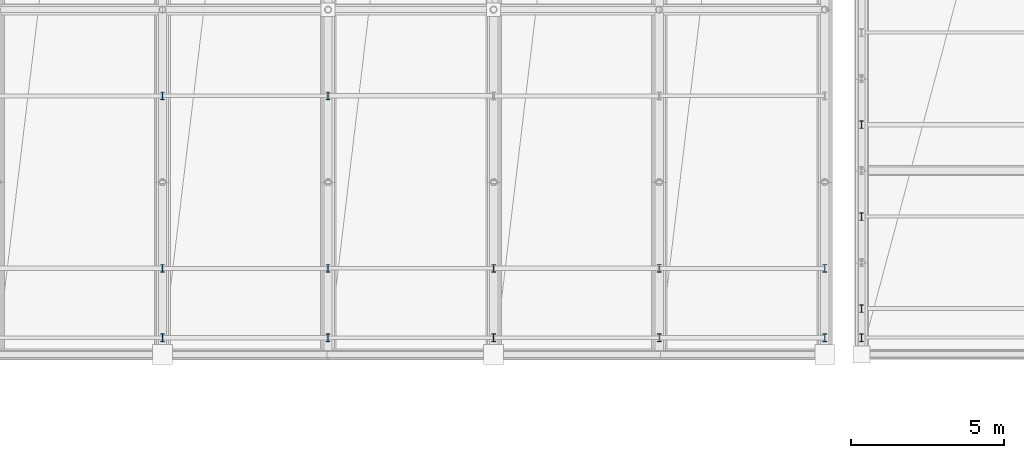
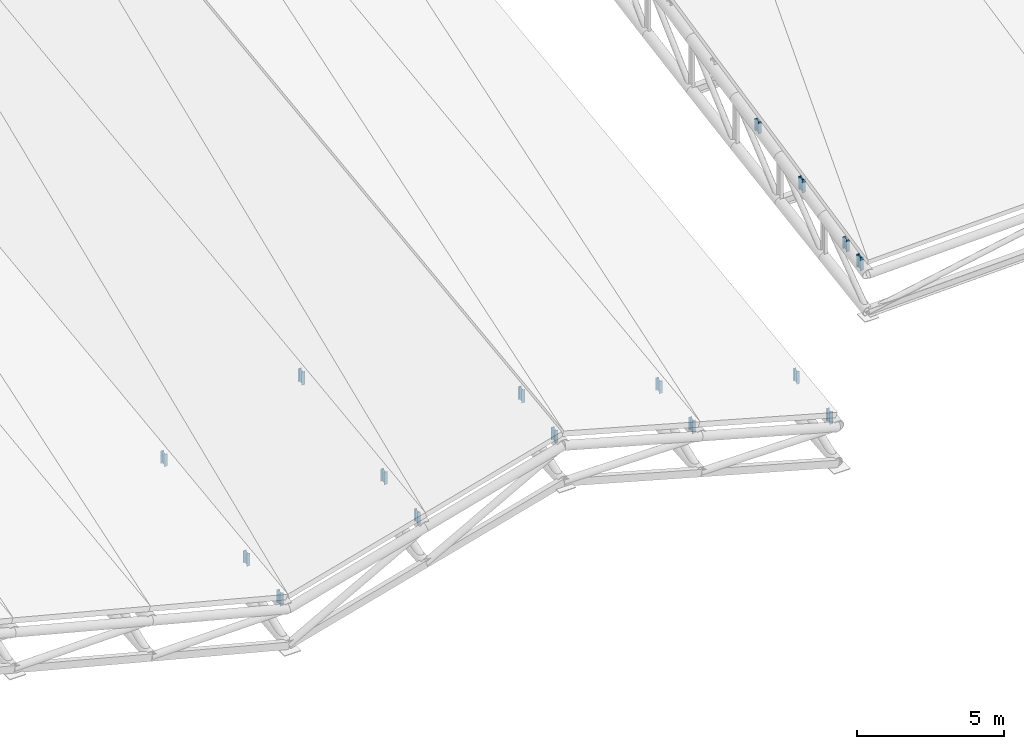
# One storey, part 78 of 109: 16 members.
"""IFC4 building model written with IfcOpenShell, lengths in metres."""

from ifc_helpers import new_model, si_unit, direction, frame, origin, origin_2d, place, context, subcontext, project, spatial, i_section, extrude, material, material_profile, profile_set, type_object, element, save


model = new_model("IFC4")

# Units and contexts
model_context = context("Model", 3, precision=1e-05, world=origin(), true_north=direction((0.0, 1.0)))
body_context = subcontext(model_context, "Body", "Model", "MODEL_VIEW")
ifc_project = project(units=[si_unit("LENGTHUNIT", "METRE"), si_unit("AREAUNIT", "SQUARE_METRE"), si_unit("VOLUMEUNIT", "CUBIC_METRE"), si_unit("PLANEANGLEUNIT", "RADIAN"), si_unit("MASSUNIT", "GRAM", prefix="KILO")], contexts=[model_context])

# Site, building, storey
site_placement = place(None, origin())
site = spatial("IfcSite", under=ifc_project, at=site_placement, CompositionType="ELEMENT")
building_placement = place(site_placement, origin())
building = spatial("IfcBuilding", under=site, at=building_placement, Name="Suirenkawa Promenade Aquatics Centre", CompositionType="ELEMENT")
storey_placement = place(building_placement, frame((0.0, 0.0, 22.800048828125)))
storey = spatial("IfcBuildingStorey", under=building, at=storey_placement, Name="ROOF", CompositionType="ELEMENT", Elevation=22.800048828125)

# Members
ifc_material = material(Name="Steel IS 2062 E350 (Grade 350)", Category="steel")
ifc_material_profile = material_profile(ifc_material, i_section(OverallWidth=0.125, OverallDepth=0.25, WebThickness=0.007080078125, FlangeThickness=0.012939453125, at=origin_2d()), Name="ISMB 250", Category="steel")
ifc_profile_set = profile_set([ifc_material_profile], Name="Steel IS 2062 E350 (Grade 350)")
member_type = type_object("IfcMemberType", Name="MT-WEB-CHS168", PredefinedType="BRACE", material=ifc_profile_set)
member_1_placement = place(storey_placement, frame((133.199951171875, 50.949951171875, -15.149169921875), z_axis=(0.0, 0.0, 1.0), x_axis=(1.0, 0.0, 0.0)))
element("IfcMember", 1, at=member_1_placement, inside=storey, type_object=member_type, Name="ROOF TRUSS Purlin cleat post TD-03 MB-2228", PredefinedType="BRACE", context=body_context, shape_type="SweptSolid", body=[
    extrude(i_section(OverallWidth=0.125, OverallDepth=0.25, WebThickness=0.007080078125, FlangeThickness=0.012939453125, at=origin_2d()), origin(), (0.0, 0.0, 1.0), 0.546142578125),
])
member_2_placement = place(storey_placement, frame((133.199951171875, 53.2119140625, -14.858154296875), z_axis=(0.0, 0.0, 1.0), x_axis=(1.0, 0.0, 0.0)))
element("IfcMember", 2, at=member_2_placement, inside=storey, type_object=member_type, Name="ROOF TRUSS Purlin cleat post TD-03 MB-2230", PredefinedType="BRACE", context=body_context, shape_type="SweptSolid", body=[
    extrude(i_section(OverallWidth=0.125, OverallDepth=0.25, WebThickness=0.007080078125, FlangeThickness=0.012939453125, at=origin_2d()), origin(), (0.0, 0.0, 1.0), 0.52001953125),
])
member_3_placement = place(storey_placement, frame((133.199951171875, 58.8369140625, -14.133056640625), z_axis=(0.0, 0.0, 1.0), x_axis=(1.0, 0.0, 0.0)))
element("IfcMember", 3, at=member_3_placement, inside=storey, type_object=member_type, Name="ROOF TRUSS Purlin cleat post TD-03 MB-2232", PredefinedType="BRACE", context=body_context, shape_type="SweptSolid", body=[
    extrude(i_section(OverallWidth=0.125, OverallDepth=0.25, WebThickness=0.007080078125, FlangeThickness=0.012939453125, at=origin_2d()), origin(), (0.0, 0.0, 1.0), 0.52099609375),
])
member_4_placement = place(storey_placement, frame((138.60009765625, 50.949951171875, -13.649169921875), z_axis=(0.0, 0.0, 1.0), x_axis=(1.0, 0.0, 0.0)))
element("IfcMember", 4, at=member_4_placement, inside=storey, type_object=member_type, Name="ROOF TRUSS Purlin cleat post TD-03 MB-2264", PredefinedType="BRACE", context=body_context, shape_type="SweptSolid", body=[
    extrude(i_section(OverallWidth=0.125, OverallDepth=0.25, WebThickness=0.007080078125, FlangeThickness=0.012939453125, at=origin_2d()), origin(), (0.0, 0.0, 1.0), 0.51904296875),
])
member_5_placement = place(storey_placement, frame((138.60009765625, 53.2119140625, -13.358154296875), z_axis=(0.0, 0.0, 1.0), x_axis=(1.0, 0.0, 0.0)))
element("IfcMember", 5, at=member_5_placement, inside=storey, type_object=member_type, Name="ROOF TRUSS Purlin cleat post TD-03 MB-2266", PredefinedType="BRACE", context=body_context, shape_type="SweptSolid", body=[
    extrude(i_section(OverallWidth=0.125, OverallDepth=0.25, WebThickness=0.007080078125, FlangeThickness=0.012939453125, at=origin_2d()), origin(), (0.0, 0.0, 1.0), 0.52099609375),
])
member_6_placement = place(storey_placement, frame((138.60009765625, 58.8369140625, -12.633056640625), z_axis=(0.0, 0.0, 1.0), x_axis=(1.0, 0.0, 0.0)))
element("IfcMember", 6, at=member_6_placement, inside=storey, type_object=member_type, Name="ROOF TRUSS Purlin cleat post TD-03 MB-2268", PredefinedType="BRACE", context=body_context, shape_type="SweptSolid", body=[
    extrude(i_section(OverallWidth=0.125, OverallDepth=0.25, WebThickness=0.007080078125, FlangeThickness=0.012939453125, at=origin_2d()), origin(), (0.0, 0.0, 1.0), 0.547119140625),
])
member_7_placement = place(storey_placement, frame((144.0, 50.949951171875, -12.149169921875), z_axis=(0.0, 0.0, 1.0), x_axis=(1.0, 0.0, 0.0)))
element("IfcMember", 7, at=member_7_placement, inside=storey, type_object=member_type, Name="ROOF TRUSS Purlin cleat post TD-03 MB-2300", PredefinedType="BRACE", context=body_context, shape_type="SweptSolid", body=[
    extrude(i_section(OverallWidth=0.125, OverallDepth=0.25, WebThickness=0.007080078125, FlangeThickness=0.012939453125, at=origin_2d()), origin(), (0.0, 0.0, 1.0), 0.521240234375),
])
member_8_placement = place(storey_placement, frame((144.0, 53.2119140625, -11.858154296875), z_axis=(0.0, 0.0, 1.0), x_axis=(1.0, 0.0, 0.0)))
element("IfcMember", 8, at=member_8_placement, inside=storey, type_object=member_type, Name="ROOF TRUSS Purlin cleat post TD-03 MB-2302", PredefinedType="BRACE", context=body_context, shape_type="SweptSolid", body=[
    extrude(i_section(OverallWidth=0.125, OverallDepth=0.25, WebThickness=0.007080078125, FlangeThickness=0.012939453125, at=origin_2d()), origin(), (0.0, 0.0, 1.0), 0.547119140625),
])
member_9_placement = place(storey_placement, frame((149.39990234375, 50.949951171875, -13.649169921875), z_axis=(0.0, 0.0, 1.0), x_axis=(1.0, 0.0, 0.0)))
element("IfcMember", 9, at=member_9_placement, inside=storey, type_object=member_type, Name="ROOF TRUSS Purlin cleat post TD-03 MB-2336", PredefinedType="BRACE", context=body_context, shape_type="SweptSolid", body=[
    extrude(i_section(OverallWidth=0.125, OverallDepth=0.25, WebThickness=0.007080078125, FlangeThickness=0.012939453125, at=origin_2d()), origin(), (0.0, 0.0, 1.0), 0.546142578125),
])
member_10_placement = place(storey_placement, frame((149.39990234375, 53.2119140625, -13.358154296875), z_axis=(0.0, 0.0, 1.0), x_axis=(1.0, 0.0, 0.0)))
element("IfcMember", 10, at=member_10_placement, inside=storey, type_object=member_type, Name="ROOF TRUSS Purlin cleat post TD-03 MB-2338", PredefinedType="BRACE", context=body_context, shape_type="SweptSolid", body=[
    extrude(i_section(OverallWidth=0.125, OverallDepth=0.25, WebThickness=0.007080078125, FlangeThickness=0.012939453125, at=origin_2d()), origin(), (0.0, 0.0, 1.0), 0.52001953125),
])
member_11_placement = place(storey_placement, frame((154.800048828125, 50.949951171875, -15.149169921875), z_axis=(0.0, 0.0, 1.0), x_axis=(1.0, 0.0, 0.0)))
element("IfcMember", 11, at=member_11_placement, inside=storey, type_object=member_type, Name="ROOF TRUSS Purlin cleat post TD-03 MB-2372", PredefinedType="BRACE", context=body_context, shape_type="SweptSolid", body=[
    extrude(i_section(OverallWidth=0.125, OverallDepth=0.25, WebThickness=0.007080078125, FlangeThickness=0.012939453125, at=origin_2d()), origin(), (0.0, 0.0, 1.0), 0.51904296875),
])
member_12_placement = place(storey_placement, frame((154.800048828125, 53.2119140625, -14.858154296875), z_axis=(0.0, 0.0, 1.0), x_axis=(1.0, 0.0, 0.0)))
element("IfcMember", 12, at=member_12_placement, inside=storey, type_object=member_type, Name="ROOF TRUSS Purlin cleat post TD-03 MB-2374", PredefinedType="BRACE", context=body_context, shape_type="SweptSolid", body=[
    extrude(i_section(OverallWidth=0.125, OverallDepth=0.25, WebThickness=0.007080078125, FlangeThickness=0.012939453125, at=origin_2d()), origin(), (0.0, 0.0, 1.0), 0.52099609375),
])
member_13_placement = place(storey_placement, frame((156.0, 50.949951171875, -9.18408203125), z_axis=(0.0, 0.0, 1.0), x_axis=(1.0, 0.0, 0.0)))
element("IfcMember", 13, at=member_13_placement, inside=storey, type_object=member_type, Name="ROOF TRUSS Purlin cleat post TD-03 MB-2408", PredefinedType="BRACE", context=body_context, shape_type="SweptSolid", body=[
    extrude(i_section(OverallWidth=0.125, OverallDepth=0.25, WebThickness=0.007080078125, FlangeThickness=0.012939453125, at=origin_2d()), origin(), (0.0, 0.0, 1.0), 0.551025390625),
])
member_14_placement = place(storey_placement, frame((156.0, 51.89990234375, -8.983154296875), z_axis=(0.0, 0.0, 1.0), x_axis=(1.0, 0.0, 0.0)))
element("IfcMember", 14, at=member_14_placement, inside=storey, type_object=member_type, Name="ROOF TRUSS Purlin cleat post TD-03 MB-2411", PredefinedType="BRACE", context=body_context, shape_type="SweptSolid", body=[
    extrude(i_section(OverallWidth=0.125, OverallDepth=0.25, WebThickness=0.007080078125, FlangeThickness=0.012939453125, at=origin_2d()), origin(), (0.0, 0.0, 1.0), 0.486083984375),
])
member_15_placement = place(storey_placement, frame((156.0, 54.89990234375, -8.35009765625), z_axis=(0.0, 0.0, 1.0), x_axis=(1.0, 0.0, 0.0)))
element("IfcMember", 15, at=member_15_placement, inside=storey, type_object=member_type, Name="ROOF TRUSS Purlin cleat post TD-03 MB-2414", PredefinedType="BRACE", context=body_context, shape_type="SweptSolid", body=[
    extrude(i_section(OverallWidth=0.125, OverallDepth=0.25, WebThickness=0.007080078125, FlangeThickness=0.012939453125, at=origin_2d()), origin(), (0.0, 0.0, 1.0), 0.551025390625),
])
member_16_placement = place(storey_placement, frame((156.0, 57.89990234375, -7.717041015625), z_axis=(0.0, 0.0, 1.0), x_axis=(1.0, 0.0, 0.0)))
element("IfcMember", 16, at=member_16_placement, inside=storey, type_object=member_type, Name="ROOF TRUSS Purlin cleat post TD-03 MB-2417", PredefinedType="BRACE", context=body_context, shape_type="SweptSolid", body=[
    extrude(i_section(OverallWidth=0.125, OverallDepth=0.25, WebThickness=0.007080078125, FlangeThickness=0.012939453125, at=origin_2d()), origin(), (0.0, 0.0, 1.0), 0.487060546875),
])

save(model, "model.ifc")
